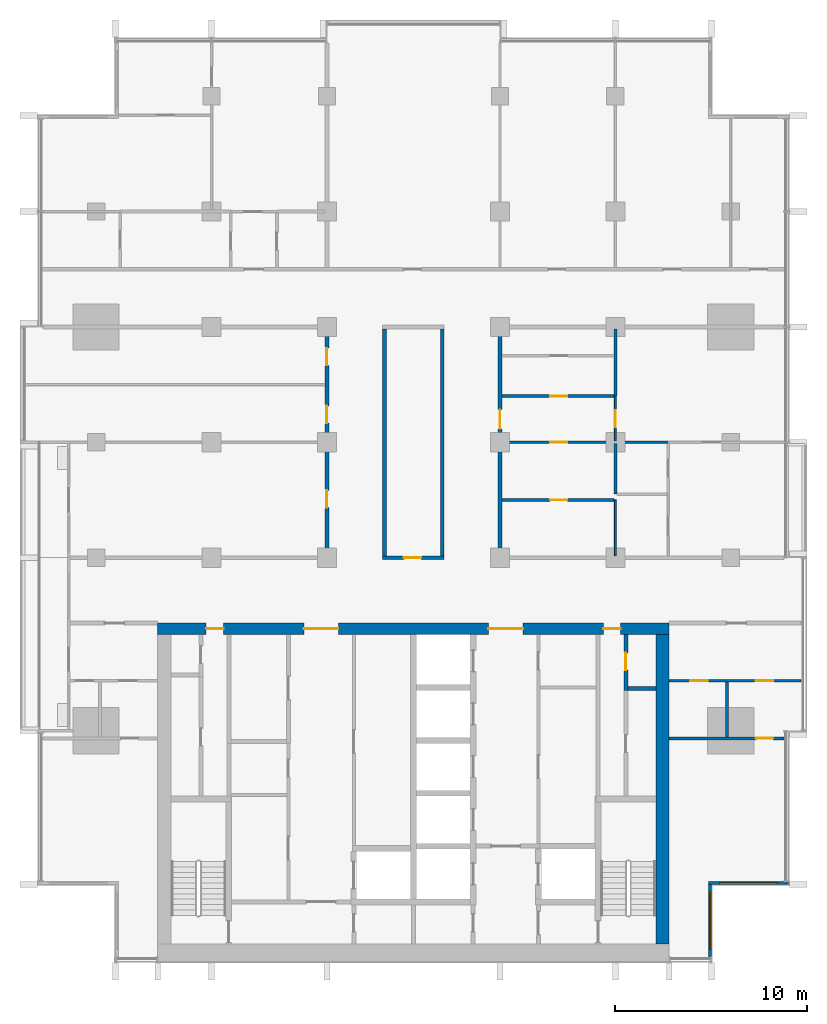
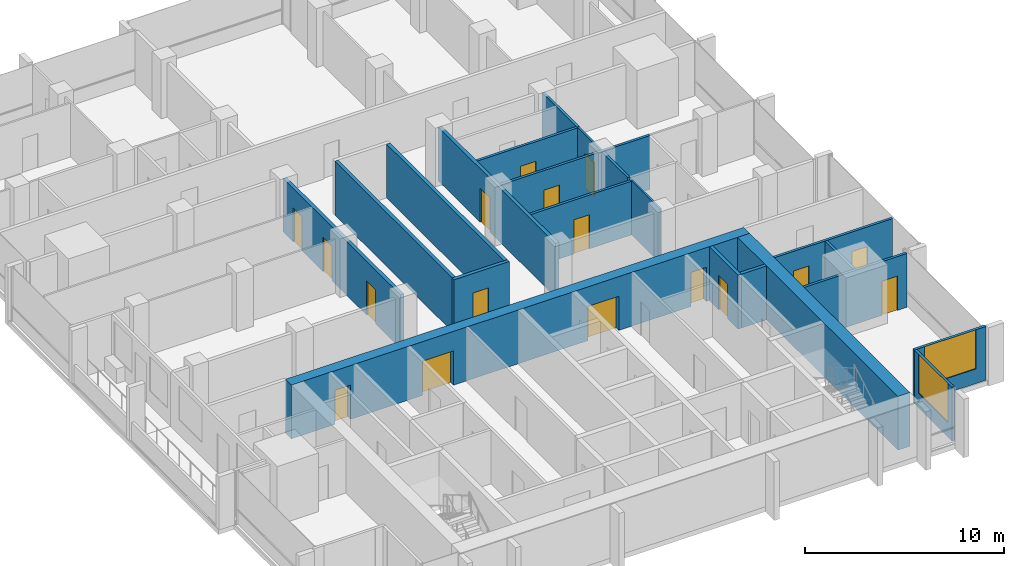
# One storey, part 9 of 16: 21 walls, 17 doors, 2 windows, 19 openings.
"""IFC4 building model written with IfcOpenShell, lengths in metres."""

from ifc_helpers import new_model, si_unit, direction, frame, frame_2d, origin, place, context, subcontext, project, spatial, rectangle, extrude, material, layer, layer_set, type_object, element, fill, save


model = new_model("IFC4")

# Units and contexts
model_context = context("Model", 3, precision=1e-05, world=origin(), true_north=direction((0.0, 1.0)))
body_context = subcontext(model_context, "Body", "Model", "MODEL_VIEW")
ifc_project = project(units=[si_unit("LENGTHUNIT", "METRE"), si_unit("AREAUNIT", "SQUARE_METRE"), si_unit("VOLUMEUNIT", "CUBIC_METRE"), si_unit("PLANEANGLEUNIT", "RADIAN"), si_unit("MASSUNIT", "GRAM", prefix="KILO")], contexts=[model_context])

# Site, building, storey
site_placement = place(None, origin())
site = spatial("IfcSite", under=ifc_project, at=site_placement, CompositionType="ELEMENT")
building_placement = place(site_placement, origin())
building = spatial("IfcBuilding", under=site, at=building_placement, Name="Finial Court Residences", CompositionType="ELEMENT")
storey_placement = place(building_placement, frame((0.0, 0.0, 188.89990234375)))
storey = spatial("IfcBuildingStorey", under=building, at=storey_placement, Name="L47", CompositionType="ELEMENT", Elevation=188.89990234375)

# Wall, openings, doors
ifc_material_1 = material(Name="Concrete C70/85", Category="concrete")
ifc_layer_1 = layer(ifc_material_1, 0.60009765625)
ifc_layer_set_1 = layer_set([ifc_layer_1], Name="Core outer wall 600 Concrete C70/85")
wall_type_1 = type_object("IfcWallType", Name="Core outer wall 600 Concrete C70/85", PredefinedType="SHEAR", material=ifc_layer_set_1)
wall_1_placement = place(storey_placement, frame((-13.300048828125, -8.199951171875, 0.0), z_axis=(0.0, 0.0, 1.0), x_axis=(1.0, 0.0, 0.0)))
wall_1 = element("IfcWall", 1, at=wall_1_placement, inside=storey, type_object=wall_type_1, Name="Core outer wall L47-02", PredefinedType="SHEAR", context=body_context, shape_type="SweptSolid", body=[
    extrude(rectangle(XDim=26.60009765625, YDim=0.60009765625, at=frame_2d((13.300048828125, 0.0))), origin(), (0.0, 0.0, 1.0), 3.300048828125),
])
opening_1_placement = place(wall_1_placement, frame((7.60009765625, 0.0, 0.0)))
opening_1 = element("IfcOpeningElement", 2, at=opening_1_placement, cuts=wall_1, Name="Opening L47-C04", PredefinedType="OPENING", context=body_context, shape_type="SweptSolid", body=[
    extrude(rectangle(XDim=1.800048828125, YDim=2.10009765625, at=frame_2d((0.89990234375, 1.050048828125))), frame((0.0, 0.31005859375, 0.0), z_axis=(0.0, -1.0, 0.0), x_axis=(1.0, 0.0, 0.0)), (0.0, 0.0, 1.0), 0.6201171875),
])
opening_2_placement = place(wall_1_placement, frame((17.199951171875, 0.0, 0.0)))
opening_2 = element("IfcOpeningElement", 3, at=opening_2_placement, cuts=wall_1, Name="Opening L47-C05", PredefinedType="OPENING", context=body_context, shape_type="SweptSolid", body=[
    extrude(rectangle(XDim=1.800048828125, YDim=2.10009765625, at=frame_2d((0.89990234375, 1.050048828125))), frame((0.0, 0.31005859375, 0.0), z_axis=(0.0, -1.0, 0.0), x_axis=(1.0, 0.0, 0.0)), (0.0, 0.0, 1.0), 0.6201171875),
])
opening_3_placement = place(wall_1_placement, frame((2.52490234375, 0.0, 0.0)))
opening_3 = element("IfcOpeningElement", 4, at=opening_3_placement, cuts=wall_1, Name="Opening L47-C10", PredefinedType="OPENING", context=body_context, shape_type="SweptSolid", body=[
    extrude(rectangle(XDim=0.89990234375, YDim=2.10009765625, at=frame_2d((0.449951171875, 1.050048828125))), frame((0.0, 0.31005859375, 0.0), z_axis=(0.0, -1.0, 0.0), x_axis=(1.0, 0.0, 0.0)), (0.0, 0.0, 1.0), 0.6201171875),
])
opening_4_placement = place(wall_1_placement, frame((23.175048828125, 0.0, 0.0)))
opening_4 = element("IfcOpeningElement", 5, at=opening_4_placement, cuts=wall_1, Name="Opening L47-C11", PredefinedType="OPENING", context=body_context, shape_type="SweptSolid", body=[
    extrude(rectangle(XDim=0.89990234375, YDim=2.10009765625, at=frame_2d((0.449951171875, 1.050048828125))), frame((0.0, 0.31005859375, 0.0), z_axis=(0.0, -1.0, 0.0), x_axis=(1.0, 0.0, 0.0)), (0.0, 0.0, 1.0), 0.6201171875),
])
ifc_material_2 = material(Name="Steel fire door", Category="steel")
door_type_1 = type_object("IfcDoorType", Name="Lift lobby door 1800 x 2100 EI 60", OperationType="DOUBLE_DOOR_SINGLE_SWING", PredefinedType="DOOR", material=ifc_material_2)
door_1_placement = place(opening_1_placement, origin())
door_1 = element("IfcDoor", 6, at=door_1_placement, inside=storey, type_object=door_type_1, Name="Lift lobby door L47-C04", OperationType="DOUBLE_DOOR_SINGLE_SWING", OverallHeight=2.10009765625, OverallWidth=1.800048828125, PredefinedType="DOOR", context=body_context, shape_type="SweptSolid", body=[
    extrude(rectangle(XDim=1.800048828125, YDim=2.10009765625, at=frame_2d((0.89990234375, 1.050048828125))), frame((0.0, 0.02490234375, 0.0), z_axis=(0.0, -1.0, 0.0), x_axis=(1.0, 0.0, 0.0)), (0.0, 0.0, 1.0), 0.050048828125),
])
fill(opening_1, door_1)
door_2_placement = place(opening_2_placement, origin())
door_2 = element("IfcDoor", 7, at=door_2_placement, inside=storey, type_object=door_type_1, Name="Lift lobby door L47-C05", OperationType="DOUBLE_DOOR_SINGLE_SWING", OverallHeight=2.10009765625, OverallWidth=1.800048828125, PredefinedType="DOOR", context=body_context, shape_type="SweptSolid", body=[
    extrude(rectangle(XDim=1.800048828125, YDim=2.10009765625, at=frame_2d((0.89990234375, 1.050048828125))), frame((0.0, 0.02490234375, 0.0), z_axis=(0.0, -1.0, 0.0), x_axis=(1.0, 0.0, 0.0)), (0.0, 0.0, 1.0), 0.050048828125),
])
fill(opening_2, door_2)
door_type_2 = type_object("IfcDoorType", Name="Riser room door 900 x 2100 EI 90", OperationType="NOTDEFINED", PredefinedType="DOOR", material=ifc_material_2)
door_3_placement = place(opening_3_placement, origin())
door_3 = element("IfcDoor", 8, at=door_3_placement, inside=storey, type_object=door_type_2, Name="Riser room door L47-C10", OperationType="SINGLE_SWING_RIGHT", OverallHeight=2.10009765625, OverallWidth=0.89990234375, PredefinedType="DOOR", context=body_context, shape_type="SweptSolid", body=[
    extrude(rectangle(XDim=0.89990234375, YDim=2.10009765625, at=frame_2d((0.449951171875, 1.050048828125))), frame((0.0, 0.02490234375, 0.0), z_axis=(0.0, -1.0, 0.0), x_axis=(1.0, 0.0, 0.0)), (0.0, 0.0, 1.0), 0.050048828125),
])
fill(opening_3, door_3)
door_4_placement = place(opening_4_placement, origin())
door_4 = element("IfcDoor", 9, at=door_4_placement, inside=storey, type_object=door_type_2, Name="Riser room door L47-C11", OperationType="SINGLE_SWING_LEFT", OverallHeight=2.10009765625, OverallWidth=0.89990234375, PredefinedType="DOOR", context=body_context, shape_type="SweptSolid", body=[
    extrude(rectangle(XDim=0.89990234375, YDim=2.10009765625, at=frame_2d((0.449951171875, 1.050048828125))), frame((0.0, 0.02490234375, 0.0), z_axis=(0.0, -1.0, 0.0), x_axis=(1.0, 0.0, 0.0)), (0.0, 0.0, 1.0), 0.050048828125),
])
fill(opening_4, door_4)

# Wall
ifc_layer_2 = layer(ifc_material_1, 0.699951171875)
ifc_layer_set_2 = layer_set([ifc_layer_2], Name="Core outer wall 700 Concrete C70/85")
wall_type_2 = type_object("IfcWallType", Name="Core outer wall 700 Concrete C70/85", PredefinedType="SHEAR", material=ifc_layer_set_2)
wall_2_placement = place(storey_placement, frame((12.949951171875, -24.60009765625, 0.0), z_axis=(0.0, 0.0, 1.0), x_axis=(0.0, 1.0, 0.0)))
element("IfcWall", 10, at=wall_2_placement, inside=storey, type_object=wall_type_2, Name="Core outer wall L47-04", PredefinedType="SHEAR", context=body_context, shape_type="SweptSolid", body=[
    extrude(rectangle(XDim=16.10009765625, YDim=0.699951171875, at=frame_2d((8.050048828125, 0.0))), origin(), (0.0, 0.0, 1.0), 3.300048828125),
])

# Wall, opening, door
ifc_material_3 = material(Name="Gypsum board")
ifc_layer_3 = layer(ifc_material_3, 0.02490234375)
ifc_material_4 = material(Name="Acoustic mineral wool in double frame")
ifc_layer_4 = layer(ifc_material_4, 0.14990234375)
ifc_layer_5 = layer(ifc_material_3, 0.02490234375)
ifc_layer_set_3 = layer_set([ifc_layer_3, ifc_layer_4, ifc_layer_5], Name="Corridor wall 200, 1 hour")
wall_type_3 = type_object("IfcWallType", Name="Corridor wall 200, 1 hour", PredefinedType="PARTITIONING", material=ifc_layer_set_3)
wall_3_placement = place(storey_placement, frame((-1.60009765625, -4.5, 0.0), z_axis=(0.0, 0.0, 1.0), x_axis=(1.0, 0.0, 0.0)))
wall_3 = element("IfcWall", 11, at=wall_3_placement, inside=storey, type_object=wall_type_3, Name="Partition L47-007", PredefinedType="PARTITIONING", context=body_context, shape_type="SweptSolid", body=[
    extrude(rectangle(XDim=3.2001953125, YDim=0.199951171875, at=frame_2d((1.60009765625, 0.0))), origin(), (0.0, 0.0, 1.0), 3.300048828125),
])
opening_5_placement = place(wall_3_placement, frame((1.10009765625, 0.0, 0.0)))
opening_5 = element("IfcOpeningElement", 12, at=opening_5_placement, cuts=wall_3, Name="Opening L47-D009", PredefinedType="OPENING", context=body_context, shape_type="SweptSolid", body=[
    extrude(rectangle(XDim=0.89990234375, YDim=2.10009765625, at=frame_2d((0.449951171875, 1.050048828125))), frame((0.0, 0.10986328125, 0.0), z_axis=(0.0, -1.0, 0.0), x_axis=(1.0, 0.0, 0.0)), (0.0, 0.0, 1.0), 0.219970703125),
])
ifc_material_5 = material(Name="Timber door leaf in hollow metal frame", Category="wood")
door_type_3 = type_object("IfcDoorType", Name="Fire door set 900 x 2100, 30 minutes", OperationType="SINGLE_SWING_LEFT", PredefinedType="DOOR", material=ifc_material_5)
door_5_placement = place(opening_5_placement, origin())
door_5 = element("IfcDoor", 13, at=door_5_placement, inside=storey, type_object=door_type_3, Name="Door L47-D009", OperationType="SINGLE_SWING_RIGHT", OverallHeight=2.10009765625, OverallWidth=0.89990234375, PredefinedType="DOOR", context=body_context, shape_type="SweptSolid", body=[
    extrude(rectangle(XDim=0.89990234375, YDim=2.10009765625, at=frame_2d((0.449951171875, 1.050048828125))), frame((0.0, 0.02490234375, 0.0), z_axis=(0.0, -1.0, 0.0), x_axis=(1.0, 0.0, 0.0)), (0.0, 0.0, 1.0), 0.050048828125),
])
fill(opening_5, door_5)

# Wall, openings, doors
wall_4_placement = place(storey_placement, frame((-4.5, -4.39990234375, 0.0), z_axis=(0.0, 0.0, 1.0), x_axis=(0.0, 1.0, 0.0)))
wall_4 = element("IfcWall", 14, at=wall_4_placement, inside=storey, type_object=wall_type_3, Name="Partition L47-031", PredefinedType="PARTITIONING", context=body_context, shape_type="SweptSolid", body=[
    extrude(rectangle(XDim=11.7998046875, YDim=0.199951171875, at=frame_2d((5.89990234375, 0.0))), origin(), (0.0, 0.0, 1.0), 3.300048828125),
])
opening_6_placement = place(wall_4_placement, frame((2.5, 0.0, 0.0)))
opening_6 = element("IfcOpeningElement", 15, at=opening_6_placement, cuts=wall_4, Name="Opening L47-D026", PredefinedType="OPENING", context=body_context, shape_type="SweptSolid", body=[
    extrude(rectangle(XDim=0.89990234375, YDim=2.10009765625, at=frame_2d((0.449951171875, 1.050048828125))), frame((0.0, 0.10986328125, 0.0), z_axis=(0.0, -1.0, 0.0), x_axis=(1.0, 0.0, 0.0)), (0.0, 0.0, 1.0), 0.219970703125),
])
opening_7_placement = place(wall_4_placement, frame((6.89990234375, 0.0, 0.0)))
opening_7 = element("IfcOpeningElement", 16, at=opening_7_placement, cuts=wall_4, Name="Opening L47-D027", PredefinedType="OPENING", context=body_context, shape_type="SweptSolid", body=[
    extrude(rectangle(XDim=0.89990234375, YDim=2.10009765625, at=frame_2d((0.449951171875, 1.050048828125))), frame((0.0, 0.10986328125, 0.0), z_axis=(0.0, -1.0, 0.0), x_axis=(1.0, 0.0, 0.0)), (0.0, 0.0, 1.0), 0.219970703125),
])
opening_8_placement = place(wall_4_placement, frame((9.89990234375, 0.0, 0.0)))
opening_8 = element("IfcOpeningElement", 17, at=opening_8_placement, cuts=wall_4, Name="Opening L47-D028", PredefinedType="OPENING", context=body_context, shape_type="SweptSolid", body=[
    extrude(rectangle(XDim=0.89990234375, YDim=2.10009765625, at=frame_2d((0.449951171875, 1.050048828125))), frame((0.0, 0.10986328125, 0.0), z_axis=(0.0, -1.0, 0.0), x_axis=(1.0, 0.0, 0.0)), (0.0, 0.0, 1.0), 0.219970703125),
])
door_6_placement = place(opening_6_placement, origin())
door_6 = element("IfcDoor", 18, at=door_6_placement, inside=storey, type_object=door_type_3, Name="Door L47-D026", OperationType="SINGLE_SWING_RIGHT", OverallHeight=2.10009765625, OverallWidth=0.89990234375, PredefinedType="DOOR", context=body_context, shape_type="SweptSolid", body=[
    extrude(rectangle(XDim=0.89990234375, YDim=2.10009765625, at=frame_2d((0.449951171875, 1.050048828125))), frame((0.0, 0.02490234375, 0.0), z_axis=(0.0, -1.0, 0.0), x_axis=(1.0, 0.0, 0.0)), (0.0, 0.0, 1.0), 0.050048828125),
])
fill(opening_6, door_6)
door_7_placement = place(opening_7_placement, origin())
door_7 = element("IfcDoor", 19, at=door_7_placement, inside=storey, type_object=door_type_3, Name="Door L47-D027", OperationType="SINGLE_SWING_LEFT", OverallHeight=2.10009765625, OverallWidth=0.89990234375, PredefinedType="DOOR", context=body_context, shape_type="SweptSolid", body=[
    extrude(rectangle(XDim=0.89990234375, YDim=2.10009765625, at=frame_2d((0.449951171875, 1.050048828125))), frame((0.0, 0.02490234375, 0.0), z_axis=(0.0, -1.0, 0.0), x_axis=(1.0, 0.0, 0.0)), (0.0, 0.0, 1.0), 0.050048828125),
])
fill(opening_7, door_7)
door_8_placement = place(opening_8_placement, origin())
door_8 = element("IfcDoor", 20, at=door_8_placement, inside=storey, type_object=door_type_3, Name="Door L47-D028", OperationType="SINGLE_SWING_LEFT", OverallHeight=2.10009765625, OverallWidth=0.89990234375, PredefinedType="DOOR", context=body_context, shape_type="SweptSolid", body=[
    extrude(rectangle(XDim=0.89990234375, YDim=2.10009765625, at=frame_2d((0.449951171875, 1.050048828125))), frame((0.0, 0.02490234375, 0.0), z_axis=(0.0, -1.0, 0.0), x_axis=(1.0, 0.0, 0.0)), (0.0, 0.0, 1.0), 0.050048828125),
])
fill(opening_8, door_8)

# Walls
for number, where, z_axis, x_axis, name in (
    (21, (-1.5, -4.39990234375, 0.0), (0.0, 0.0, 1.0), (0.0, 1.0, 0.0), "Partition L47-033"),
    (22, (1.5, -4.39990234375, 0.0), (0.0, 0.0, 1.0), (0.0, 1.0, 0.0), "Partition L47-034"),
):
    element("IfcWall", number, at=place(storey_placement, frame(where, z_axis=z_axis, x_axis=x_axis)), inside=storey, type_object=wall_type_3, Name=name, PredefinedType="PARTITIONING", context=body_context, shape_type="SweptSolid", body=[
        extrude(rectangle(XDim=11.7998046875, YDim=0.199951171875, at=frame_2d((5.89990234375, 0.0))), origin(), (0.0, 0.0, 1.0), 3.300048828125),
    ])

# Wall, opening, door
wall_5_placement = place(storey_placement, frame((4.5, -4.39990234375, 0.0), z_axis=(0.0, 0.0, 1.0), x_axis=(0.0, 1.0, 0.0)))
wall_5 = element("IfcWall", 23, at=wall_5_placement, inside=storey, type_object=wall_type_3, Name="Partition L47-035", PredefinedType="PARTITIONING", context=body_context, shape_type="SweptSolid", body=[
    extrude(rectangle(XDim=11.7998046875, YDim=0.199951171875, at=frame_2d((5.89990234375, 0.0))), origin(), (0.0, 0.0, 1.0), 3.300048828125),
])
opening_9_placement = place(wall_5_placement, frame((6.60009765625, 0.0, 0.0)))
opening_9 = element("IfcOpeningElement", 24, at=opening_9_placement, cuts=wall_5, Name="Opening L47-D029", PredefinedType="OPENING", context=body_context, shape_type="SweptSolid", body=[
    extrude(rectangle(XDim=1.0, YDim=2.10009765625, at=frame_2d((0.5, 1.050048828125))), frame((0.0, 0.10986328125, 0.0), z_axis=(0.0, -1.0, 0.0), x_axis=(1.0, 0.0, 0.0)), (0.0, 0.0, 1.0), 0.219970703125),
])
door_type_4 = type_object("IfcDoorType", Name="Fire door set 1000 x 2100, 30 minutes", OperationType="SINGLE_SWING_LEFT", PredefinedType="DOOR", material=ifc_material_5)
door_9_placement = place(opening_9_placement, origin())
door_9 = element("IfcDoor", 25, at=door_9_placement, inside=storey, type_object=door_type_4, Name="Door L47-D029", OperationType="SINGLE_SWING_RIGHT", OverallHeight=2.10009765625, OverallWidth=1.0, PredefinedType="DOOR", context=body_context, shape_type="SweptSolid", body=[
    extrude(rectangle(XDim=1.0, YDim=2.10009765625, at=frame_2d((0.5, 1.050048828125))), frame((0.0, 0.02490234375, 0.0), z_axis=(0.0, -1.0, 0.0), x_axis=(1.0, 0.0, 0.0)), (0.0, 0.0, 1.0), 0.050048828125),
])
fill(opening_9, door_9)

# Wall
ifc_layer_6 = layer(ifc_material_3, 0.012451171875)
ifc_material_6 = material(Name="Mineral wool in light-gauge frame")
ifc_layer_7 = layer(ifc_material_6, 0.074951171875)
ifc_layer_8 = layer(ifc_material_3, 0.012451171875)
ifc_layer_set_4 = layer_set([ifc_layer_6, ifc_layer_7, ifc_layer_8], Name="Gypsum board partition 100")
wall_type_4 = type_object("IfcWallType", Name="Gypsum board partition 100", PredefinedType="PARTITIONING", material=ifc_layer_set_4)
wall_6_placement = place(storey_placement, frame((10.5, -4.39990234375, 0.0), z_axis=(0.0, 0.0, 1.0), x_axis=(0.0, 1.0, 0.0)))
element("IfcWall", 26, at=wall_6_placement, inside=storey, type_object=wall_type_4, Name="Partition L47-037", PredefinedType="PARTITIONING", context=body_context, shape_type="SweptSolid", body=[
    extrude(rectangle(XDim=2.89990234375, YDim=0.10009765625, at=frame_2d((1.449951171875, 0.0))), origin(), (0.0, 0.0, 1.0), 3.300048828125),
])

# Wall, opening, door
wall_7_placement = place(storey_placement, frame((10.5, 1.574951171875, 0.0), z_axis=(0.0, 0.0, 1.0), x_axis=(0.0, 1.0, 0.0)))
wall_7 = element("IfcWall", 27, at=wall_7_placement, inside=storey, type_object=wall_type_4, Name="Partition L47-038", PredefinedType="PARTITIONING", context=body_context, shape_type="SweptSolid", body=[
    extrude(rectangle(XDim=2.324951171875, YDim=0.10009765625, at=frame_2d((1.16259765625, 0.0))), origin(), (0.0, 0.0, 1.0), 3.300048828125),
])
opening_10_placement = place(wall_7_placement, frame((0.699951171875, 0.0, 0.0)))
opening_10 = element("IfcOpeningElement", 28, at=opening_10_placement, cuts=wall_7, Name="Opening L47-D030", PredefinedType="OPENING", context=body_context, shape_type="SweptSolid", body=[
    extrude(rectangle(XDim=0.89990234375, YDim=2.10009765625, at=frame_2d((0.449951171875, 1.050048828125))), frame((0.0, 0.06005859375, 0.0), z_axis=(0.0, -1.0, 0.0), x_axis=(1.0, 0.0, 0.0)), (0.0, 0.0, 1.0), 0.1201171875),
])
ifc_material_7 = material(Name="Timber door leaf in timber frame", Category="wood")
door_type_5 = type_object("IfcDoorType", Name="Door set 900 x 2100", OperationType="SINGLE_SWING_LEFT", PredefinedType="DOOR", material=ifc_material_7)
door_10_placement = place(opening_10_placement, origin())
door_10 = element("IfcDoor", 29, at=door_10_placement, inside=storey, type_object=door_type_5, Name="Door L47-D030", OperationType="SINGLE_SWING_RIGHT", OverallHeight=2.10009765625, OverallWidth=0.89990234375, PredefinedType="DOOR", context=body_context, shape_type="SweptSolid", body=[
    extrude(rectangle(XDim=0.89990234375, YDim=2.10009765625, at=frame_2d((0.449951171875, 1.050048828125))), frame((0.0, 0.02490234375, 0.0), z_axis=(0.0, -1.0, 0.0), x_axis=(1.0, 0.0, 0.0)), (0.0, 0.0, 1.0), 0.050048828125),
])
fill(opening_10, door_10)

ifc_material_8 = material(Name="Moisture-resistant gypsum board")
ifc_layer_9 = layer(ifc_material_8, 0.012451171875)
ifc_layer_10 = layer(ifc_material_6, 0.125)
ifc_layer_11 = layer(ifc_material_8, 0.012451171875)
ifc_layer_set_5 = layer_set([ifc_layer_9, ifc_layer_10, ifc_layer_11], Name="Gypsum board wet-area partition 150")
wall_type_5 = type_object("IfcWallType", Name="Gypsum board wet-area partition 150", PredefinedType="PARTITIONING", material=ifc_layer_set_5)
wall_8_placement = place(storey_placement, frame((13.300048828125, -13.89990234375, 0.0), z_axis=(0.0, 0.0, 1.0), x_axis=(1.0, 0.0, 0.0)))
wall_8 = element("IfcWall", 30, at=wall_8_placement, inside=storey, type_object=wall_type_5, Name="Partition L47-001", PredefinedType="PARTITIONING", context=body_context, shape_type="SweptSolid", body=[
    extrude(rectangle(XDim=5.96240234375, YDim=0.14990234375, at=frame_2d((2.981201171875, 0.0))), origin(), (0.0, 0.0, 1.0), 3.300048828125),
])
opening_11_placement = place(wall_8_placement, frame((4.5, 0.0, 0.0)))
opening_11 = element("IfcOpeningElement", 31, at=opening_11_placement, cuts=wall_8, Name="Opening L47-D002", PredefinedType="OPENING", context=body_context, shape_type="SweptSolid", body=[
    extrude(rectangle(XDim=0.89990234375, YDim=2.10009765625, at=frame_2d((0.449951171875, 1.050048828125))), frame((0.0, 0.0849609375, 0.0), z_axis=(0.0, -1.0, 0.0), x_axis=(1.0, 0.0, 0.0)), (0.0, 0.0, 1.0), 0.169921875),
])
door_11_placement = place(opening_11_placement, origin())
door_11 = element("IfcDoor", 32, at=door_11_placement, inside=storey, type_object=door_type_5, Name="Door L47-D002", OperationType="SINGLE_SWING_RIGHT", OverallHeight=2.10009765625, OverallWidth=0.89990234375, PredefinedType="DOOR", context=body_context, shape_type="SweptSolid", body=[
    extrude(rectangle(XDim=0.89990234375, YDim=2.10009765625, at=frame_2d((0.449951171875, 1.050048828125))), frame((0.0, 0.02490234375, 0.0), z_axis=(0.0, -1.0, 0.0), x_axis=(1.0, 0.0, 0.0)), (0.0, 0.0, 1.0), 0.050048828125),
])
fill(opening_11, door_11)

# Wall, openings, doors
wall_9_placement = place(storey_placement, frame((13.300048828125, -10.89990234375, 0.0), z_axis=(0.0, 0.0, 1.0), x_axis=(1.0, 0.0, 0.0)))
wall_9 = element("IfcWall", 33, at=wall_9_placement, inside=storey, type_object=wall_type_5, Name="Partition L47-003", PredefinedType="PARTITIONING", context=body_context, shape_type="SweptSolid", body=[
    extrude(rectangle(XDim=6.862548828125, YDim=0.14990234375, at=frame_2d((3.43115234375, 0.0))), origin(), (0.0, 0.0, 1.0), 3.300048828125),
])
opening_12_placement = place(wall_9_placement, frame((1.10009765625, 0.0, 0.0)))
opening_12 = element("IfcOpeningElement", 34, at=opening_12_placement, cuts=wall_9, Name="Opening L47-D005", PredefinedType="OPENING", context=body_context, shape_type="SweptSolid", body=[
    extrude(rectangle(XDim=0.89990234375, YDim=2.10009765625, at=frame_2d((0.449951171875, 1.050048828125))), frame((0.0, 0.0849609375, 0.0), z_axis=(0.0, -1.0, 0.0), x_axis=(1.0, 0.0, 0.0)), (0.0, 0.0, 1.0), 0.169921875),
])
opening_13_placement = place(wall_9_placement, frame((4.5, 0.0, 0.0)))
opening_13 = element("IfcOpeningElement", 35, at=opening_13_placement, cuts=wall_9, Name="Opening L47-D006", PredefinedType="OPENING", context=body_context, shape_type="SweptSolid", body=[
    extrude(rectangle(XDim=0.89990234375, YDim=2.10009765625, at=frame_2d((0.449951171875, 1.050048828125))), frame((0.0, 0.0849609375, 0.0), z_axis=(0.0, -1.0, 0.0), x_axis=(1.0, 0.0, 0.0)), (0.0, 0.0, 1.0), 0.169921875),
])
door_12_placement = place(opening_12_placement, origin())
door_12 = element("IfcDoor", 36, at=door_12_placement, inside=storey, type_object=door_type_5, Name="Door L47-D005", OperationType="SINGLE_SWING_LEFT", OverallHeight=2.10009765625, OverallWidth=0.89990234375, PredefinedType="DOOR", context=body_context, shape_type="SweptSolid", body=[
    extrude(rectangle(XDim=0.89990234375, YDim=2.10009765625, at=frame_2d((0.449951171875, 1.050048828125))), frame((0.0, 0.02490234375, 0.0), z_axis=(0.0, -1.0, 0.0), x_axis=(1.0, 0.0, 0.0)), (0.0, 0.0, 1.0), 0.050048828125),
])
fill(opening_12, door_12)
door_13_placement = place(opening_13_placement, origin())
door_13 = element("IfcDoor", 37, at=door_13_placement, inside=storey, type_object=door_type_5, Name="Door L47-D006", OperationType="SINGLE_SWING_RIGHT", OverallHeight=2.10009765625, OverallWidth=0.89990234375, PredefinedType="DOOR", context=body_context, shape_type="SweptSolid", body=[
    extrude(rectangle(XDim=0.89990234375, YDim=2.10009765625, at=frame_2d((0.449951171875, 1.050048828125))), frame((0.0, 0.02490234375, 0.0), z_axis=(0.0, -1.0, 0.0), x_axis=(1.0, 0.0, 0.0)), (0.0, 0.0, 1.0), 0.050048828125),
])
fill(opening_13, door_13)

# Wall, opening, door
wall_10_placement = place(storey_placement, frame((4.60009765625, -1.5, 0.0), z_axis=(0.0, 0.0, 1.0), x_axis=(1.0, 0.0, 0.0)))
wall_10 = element("IfcWall", 38, at=wall_10_placement, inside=storey, type_object=wall_type_5, Name="Partition L47-009", PredefinedType="PARTITIONING", context=body_context, shape_type="SweptSolid", body=[
    extrude(rectangle(XDim=5.824951171875, YDim=0.14990234375, at=frame_2d((2.91259765625, 0.0))), origin(), (0.0, 0.0, 1.0), 3.300048828125),
])
opening_14_placement = place(wall_10_placement, frame((2.5, 0.0, 0.0)))
opening_14 = element("IfcOpeningElement", 39, at=opening_14_placement, cuts=wall_10, Name="Opening L47-D010", PredefinedType="OPENING", context=body_context, shape_type="SweptSolid", body=[
    extrude(rectangle(XDim=0.89990234375, YDim=2.10009765625, at=frame_2d((0.449951171875, 1.050048828125))), frame((0.0, 0.0849609375, 0.0), z_axis=(0.0, -1.0, 0.0), x_axis=(1.0, 0.0, 0.0)), (0.0, 0.0, 1.0), 0.169921875),
])
door_14_placement = place(opening_14_placement, origin())
door_14 = element("IfcDoor", 40, at=door_14_placement, inside=storey, type_object=door_type_5, Name="Door L47-D010", OperationType="SINGLE_SWING_LEFT", OverallHeight=2.10009765625, OverallWidth=0.89990234375, PredefinedType="DOOR", context=body_context, shape_type="SweptSolid", body=[
    extrude(rectangle(XDim=0.89990234375, YDim=2.10009765625, at=frame_2d((0.449951171875, 1.050048828125))), frame((0.0, 0.02490234375, 0.0), z_axis=(0.0, -1.0, 0.0), x_axis=(1.0, 0.0, 0.0)), (0.0, 0.0, 1.0), 0.050048828125),
])
fill(opening_14, door_14)

wall_11_placement = place(storey_placement, frame((4.60009765625, 1.5, 0.0), z_axis=(0.0, 0.0, 1.0), x_axis=(1.0, 0.0, 0.0)))
wall_11 = element("IfcWall", 41, at=wall_11_placement, inside=storey, type_object=wall_type_5, Name="Partition L47-013", PredefinedType="PARTITIONING", context=body_context, shape_type="SweptSolid", body=[
    extrude(rectangle(XDim=8.64990234375, YDim=0.14990234375, at=frame_2d((4.324951171875, 0.0))), origin(), (0.0, 0.0, 1.0), 3.300048828125),
])
opening_15_placement = place(wall_11_placement, frame((2.5, 0.0, 0.0)))
opening_15 = element("IfcOpeningElement", 42, at=opening_15_placement, cuts=wall_11, Name="Opening L47-D012", PredefinedType="OPENING", context=body_context, shape_type="SweptSolid", body=[
    extrude(rectangle(XDim=0.89990234375, YDim=2.10009765625, at=frame_2d((0.449951171875, 1.050048828125))), frame((0.0, 0.0849609375, 0.0), z_axis=(0.0, -1.0, 0.0), x_axis=(1.0, 0.0, 0.0)), (0.0, 0.0, 1.0), 0.169921875),
])
door_15_placement = place(opening_15_placement, origin())
door_15 = element("IfcDoor", 43, at=door_15_placement, inside=storey, type_object=door_type_5, Name="Door L47-D012", OperationType="SINGLE_SWING_LEFT", OverallHeight=2.10009765625, OverallWidth=0.89990234375, PredefinedType="DOOR", context=body_context, shape_type="SweptSolid", body=[
    extrude(rectangle(XDim=0.89990234375, YDim=2.10009765625, at=frame_2d((0.449951171875, 1.050048828125))), frame((0.0, 0.02490234375, 0.0), z_axis=(0.0, -1.0, 0.0), x_axis=(1.0, 0.0, 0.0)), (0.0, 0.0, 1.0), 0.050048828125),
])
fill(opening_15, door_15)

wall_12_placement = place(storey_placement, frame((4.60009765625, 3.89990234375, 0.0), z_axis=(0.0, 0.0, 1.0), x_axis=(1.0, 0.0, 0.0)))
wall_12 = element("IfcWall", 44, at=wall_12_placement, inside=storey, type_object=wall_type_5, Name="Partition L47-014", PredefinedType="PARTITIONING", context=body_context, shape_type="SweptSolid", body=[
    extrude(rectangle(XDim=5.824951171875, YDim=0.14990234375, at=frame_2d((2.91259765625, 0.0))), origin(), (0.0, 0.0, 1.0), 3.300048828125),
])
opening_16_placement = place(wall_12_placement, frame((2.5, 0.0, 0.0)))
opening_16 = element("IfcOpeningElement", 45, at=opening_16_placement, cuts=wall_12, Name="Opening L47-D013", PredefinedType="OPENING", context=body_context, shape_type="SweptSolid", body=[
    extrude(rectangle(XDim=0.89990234375, YDim=2.10009765625, at=frame_2d((0.449951171875, 1.050048828125))), frame((0.0, 0.0849609375, 0.0), z_axis=(0.0, -1.0, 0.0), x_axis=(1.0, 0.0, 0.0)), (0.0, 0.0, 1.0), 0.169921875),
])
door_16_placement = place(opening_16_placement, origin())
door_16 = element("IfcDoor", 46, at=door_16_placement, inside=storey, type_object=door_type_5, Name="Door L47-D013", OperationType="SINGLE_SWING_RIGHT", OverallHeight=2.10009765625, OverallWidth=0.89990234375, PredefinedType="DOOR", context=body_context, shape_type="SweptSolid", body=[
    extrude(rectangle(XDim=0.89990234375, YDim=2.10009765625, at=frame_2d((0.449951171875, 1.050048828125))), frame((0.0, 0.02490234375, 0.0), z_axis=(0.0, -1.0, 0.0), x_axis=(1.0, 0.0, 0.0)), (0.0, 0.0, 1.0), 0.050048828125),
])
fill(opening_16, door_16)

# Walls
wall_13_placement = place(storey_placement, frame((10.5, -1.199951171875, 0.0), z_axis=(0.0, 0.0, 1.0), x_axis=(0.0, 1.0, 0.0)))
element("IfcWall", 47, at=wall_13_placement, inside=storey, type_object=wall_type_5, Name="Partition L47-040", PredefinedType="PARTITIONING", context=body_context, shape_type="SweptSolid", body=[
    extrude(rectangle(XDim=2.625, YDim=0.14990234375, at=frame_2d((1.3125, 0.0))), origin(), (0.0, 0.0, 1.0), 3.300048828125),
])
wall_14_placement = place(storey_placement, frame((10.5, 3.89990234375, 0.0), z_axis=(0.0, 0.0, 1.0), x_axis=(0.0, 1.0, 0.0)))
element("IfcWall", 48, at=wall_14_placement, inside=storey, type_object=wall_type_5, Name="Partition L47-041", PredefinedType="PARTITIONING", context=body_context, shape_type="SweptSolid", body=[
    extrude(rectangle(XDim=3.5, YDim=0.14990234375, at=frame_2d((1.75, 0.0))), origin(), (0.0, 0.0, 1.0), 3.300048828125),
])
wall_15_placement = place(storey_placement, frame((16.300048828125, -13.824951171875, 0.0), z_axis=(0.0, 0.0, 1.0), x_axis=(0.0, 1.0, 0.0)))
element("IfcWall", 49, at=wall_15_placement, inside=storey, type_object=wall_type_5, Name="Partition L47-044", PredefinedType="PARTITIONING", context=body_context, shape_type="SweptSolid", body=[
    extrude(rectangle(XDim=2.849853515625, YDim=0.14990234375, at=frame_2d((1.4248046875, 0.0))), origin(), (0.0, 0.0, 1.0), 3.300048828125),
])

# Wall, opening, window
ifc_material_9 = material(Name="Natural limestone", Category="masonry")
ifc_layer_12 = layer(ifc_material_9, 0.14990234375)
ifc_layer_set_6 = layer_set([ifc_layer_12], Name="Limestone clad wall 150")
wall_type_6 = type_object("IfcWallType", Name="Limestone clad wall 150", PredefinedType="SOLIDWALL", material=ifc_layer_set_6)
wall_16_placement = place(storey_placement, frame((15.425048828125, -21.5, 0.0), z_axis=(0.0, 0.0, 1.0), x_axis=(0.0, -1.0, 0.0)))
wall_16 = element("IfcWall", 50, at=wall_16_placement, inside=storey, type_object=wall_type_6, Name="E-L47-NWE14", PredefinedType="SOLIDWALL", context=body_context, shape_type="SweptSolid", body=[
    extrude(rectangle(XDim=3.762451171875, YDim=0.14990234375, at=frame_2d((1.88134765625, 0.0))), origin(), (0.0, 0.0, 1.0), 3.300048828125),
])
opening_17_placement = place(wall_16_placement, frame((0.4013671875, 0.0, 0.89990234375)))
opening_17 = element("IfcOpeningElement", 51, at=opening_17_placement, cuts=wall_16, Name="Opening WE47-03", PredefinedType="OPENING", context=body_context, shape_type="SweptSolid", body=[
    extrude(rectangle(XDim=2.9599609375, YDim=2.39990234375, at=frame_2d((1.47998046875, 1.199951171875))), frame((0.0, 0.0849609375, 0.0), z_axis=(0.0, -1.0, 0.0), x_axis=(1.0, 0.0, 0.0)), (0.0, 0.0, 1.0), 0.169921875),
])
ifc_material_10 = material(Name="Clear low-e glass", Category="glass")
window_type_1 = type_object("IfcWindowType", Name="Corner window 2960 x 2400", PartitioningType="SINGLE_PANEL", PredefinedType="WINDOW", material=ifc_material_10)
window_1_placement = place(opening_17_placement, origin())
window_1 = element("IfcWindow", 52, at=window_1_placement, inside=storey, type_object=window_type_1, Name="E-L47-NWE14-W1", OverallHeight=2.39990234375, OverallWidth=2.9599609375, PartitioningType="SINGLE_PANEL", PredefinedType="WINDOW", context=body_context, shape_type="SweptSolid", body=[
    extrude(rectangle(XDim=2.9599609375, YDim=2.39990234375, at=frame_2d((1.47998046875, 1.199951171875))), frame((0.0, 0.030029296875, 0.0), z_axis=(0.0, -1.0, 0.0), x_axis=(1.0, 0.0, 0.0)), (0.0, 0.0, 1.0), 0.06005859375),
])
fill(opening_17, window_1)

wall_17_placement = place(storey_placement, frame((19.5, -21.425048828125, 0.0), z_axis=(0.0, 0.0, 1.0), x_axis=(-1.0, 0.0, 0.0)))
wall_17 = element("IfcWall", 53, at=wall_17_placement, inside=storey, type_object=wall_type_6, Name="E-L47-NWS15", PredefinedType="SOLIDWALL", context=body_context, shape_type="SweptSolid", body=[
    extrude(rectangle(XDim=4.14990234375, YDim=0.14990234375, at=frame_2d((2.074951171875, 0.0))), origin(), (0.0, 0.0, 1.0), 3.300048828125),
])
opening_18_placement = place(wall_17_placement, frame((0.574951171875, 0.0, 0.89990234375)))
opening_18 = element("IfcOpeningElement", 54, at=opening_18_placement, cuts=wall_17, Name="Opening WE47-04", PredefinedType="OPENING", context=body_context, shape_type="SweptSolid", body=[
    extrude(rectangle(XDim=3.0, YDim=2.39990234375, at=frame_2d((1.5, 1.199951171875))), frame((0.0, 0.0849609375, 0.0), z_axis=(0.0, -1.0, 0.0), x_axis=(1.0, 0.0, 0.0)), (0.0, 0.0, 1.0), 0.169921875),
])
window_type_2 = type_object("IfcWindowType", Name="Corner window 3000 x 2400", PartitioningType="SINGLE_PANEL", PredefinedType="WINDOW", material=ifc_material_10)
window_2_placement = place(opening_18_placement, origin())
window_2 = element("IfcWindow", 55, at=window_2_placement, inside=storey, type_object=window_type_2, Name="E-L47-NWS15-W1", OverallHeight=2.39990234375, OverallWidth=3.0, PartitioningType="SINGLE_PANEL", PredefinedType="WINDOW", context=body_context, shape_type="SweptSolid", body=[
    extrude(rectangle(XDim=3.0, YDim=2.39990234375, at=frame_2d((1.5, 1.199951171875))), frame((0.0, 0.030029296875, 0.0), z_axis=(0.0, -1.0, 0.0), x_axis=(1.0, 0.0, 0.0)), (0.0, 0.0, 1.0), 0.06005859375),
])
fill(opening_18, window_2)

# Wall
ifc_material_11 = material(Name="Fire-rated gypsum board partition")
ifc_layer_13 = layer(ifc_material_11, 0.199951171875)
ifc_layer_set_7 = layer_set([ifc_layer_13], Name="Riser room wall 200 EI 120")
wall_type_7 = type_object("IfcWallType", Name="Riser room wall 200 EI 120", PredefinedType="PARTITIONING", material=ifc_layer_set_7)
wall_18_placement = place(storey_placement, frame((11.14990234375, -11.300048828125, 0.0), z_axis=(0.0, 0.0, 1.0), x_axis=(1.0, 0.0, 0.0)))
element("IfcWall", 56, at=wall_18_placement, inside=storey, type_object=wall_type_7, Name="Core partition L47-14", PredefinedType="PARTITIONING", context=body_context, shape_type="SweptSolid", body=[
    extrude(rectangle(XDim=1.4501953125, YDim=0.199951171875, at=frame_2d((0.72509765625, 0.0))), origin(), (0.0, 0.0, 1.0), 3.300048828125),
])

# Wall, opening, door
wall_19_placement = place(storey_placement, frame((11.050048828125, -8.5, 0.0), z_axis=(0.0, 0.0, 1.0), x_axis=(0.0, -1.0, 0.0)))
wall_19 = element("IfcWall", 57, at=wall_19_placement, inside=storey, type_object=wall_type_7, Name="Core partition L47-38", PredefinedType="PARTITIONING", context=body_context, shape_type="SweptSolid", body=[
    extrude(rectangle(XDim=2.89990234375, YDim=0.199951171875, at=frame_2d((1.449951171875, 0.0))), origin(), (0.0, 0.0, 1.0), 3.300048828125),
])
opening_19_placement = place(wall_19_placement, frame((0.949951171875, 0.0, 0.0)))
opening_19 = element("IfcOpeningElement", 58, at=opening_19_placement, cuts=wall_19, Name="Opening L47-C08", PredefinedType="OPENING", context=body_context, shape_type="SweptSolid", body=[
    extrude(rectangle(XDim=0.89990234375, YDim=2.10009765625, at=frame_2d((0.449951171875, 1.050048828125))), frame((0.0, 0.10986328125, 0.0), z_axis=(0.0, -1.0, 0.0), x_axis=(1.0, 0.0, 0.0)), (0.0, 0.0, 1.0), 0.219970703125),
])
door_17_placement = place(opening_19_placement, origin())
door_17 = element("IfcDoor", 59, at=door_17_placement, inside=storey, type_object=door_type_2, Name="Riser room door L47-C08", OperationType="SINGLE_SWING_RIGHT", OverallHeight=2.10009765625, OverallWidth=0.89990234375, PredefinedType="DOOR", context=body_context, shape_type="SweptSolid", body=[
    extrude(rectangle(XDim=0.89990234375, YDim=2.10009765625, at=frame_2d((0.449951171875, 1.050048828125))), frame((0.0, 0.02490234375, 0.0), z_axis=(0.0, -1.0, 0.0), x_axis=(1.0, 0.0, 0.0)), (0.0, 0.0, 1.0), 0.050048828125),
])
fill(opening_19, door_17)

save(model, "model.ifc")
